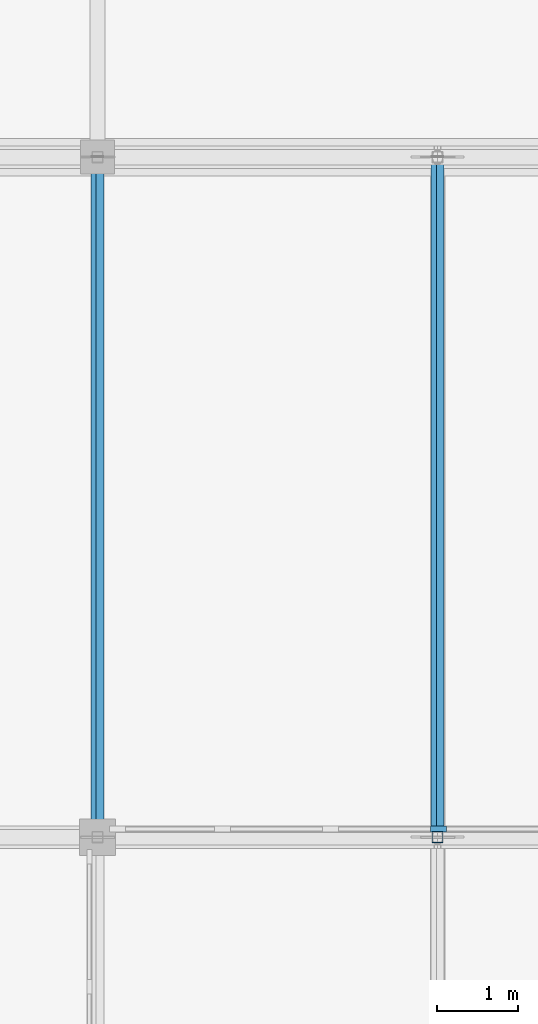
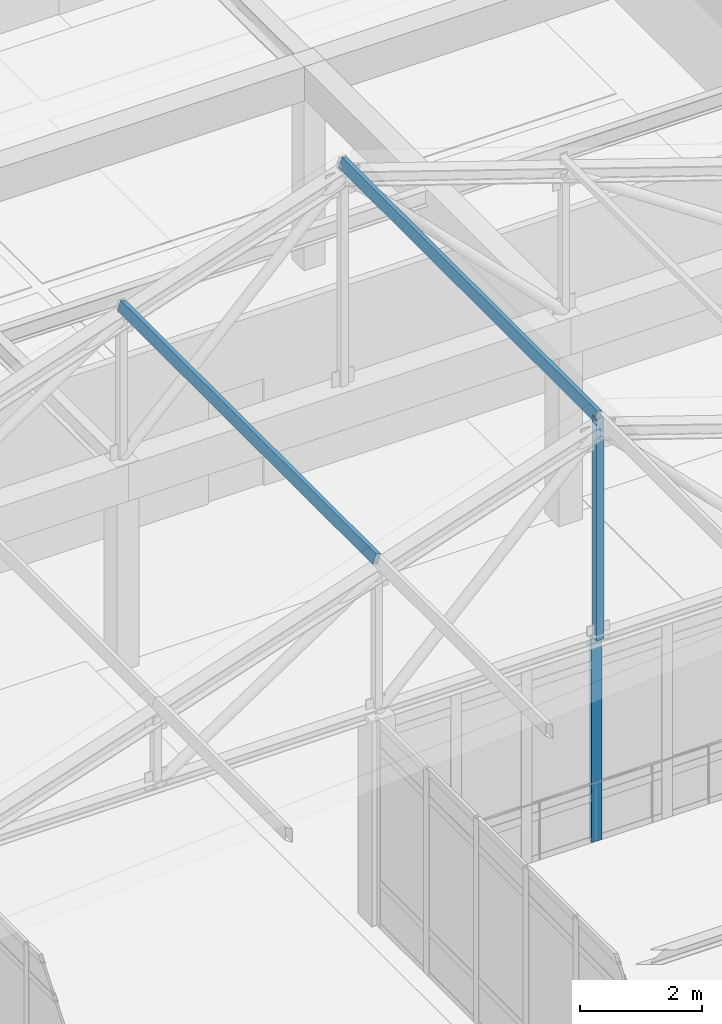
# One storey, part 80 of 192: 4 members, 1 element without a shape of its own.
"""IFC4 building model written with IfcOpenShell, lengths in metres."""

import ifcopenshell
import ifcopenshell.guid

model = None  # the IFC model being written
_history = None  # IfcOwnerHistory: only IFC2X3 demands one
_inside = {}  # id of a spatial element -> (the spatial element, [elements in it])
_under = {}  # id of a project, library or spatial element -> (it, [spatial elements below it])
_declared = {}  # id of a project -> (the project, [libraries it declares])
_typed = {}  # id of a type object -> (the type object, [elements of that type])
_made_of = {}  # id of a material, layer set ... -> (it, [elements and type objects made of it])


def new_model(schema):
    """Start an empty IFC model of exactly this schema.

    Asked for "IFC4X3", IfcOpenShell would pick the latest addendum, in which some entities
    have other attributes; the version numbers below select the first issue.
    IFC2X3 requires an IfcOwnerHistory on every rooted entity: one is made here for all.
    """
    global model, _history
    if schema == "IFC4X3":
        model = ifcopenshell.file(schema_version=(4, 3, 0, 0))
    else:
        model = ifcopenshell.file(schema=schema)
    _inside.clear()
    _under.clear()
    _declared.clear()
    _typed.clear()
    _made_of.clear()
    _history = None
    if model.schema == "IFC2X3":
        org = make("IfcOrganization", Name="unknown")
        user = make(
            "IfcPersonAndOrganization",
            ThePerson=make("IfcPerson", FamilyName="unknown"),
            TheOrganization=org,
        )
        app = make(
            "IfcApplication",
            ApplicationDeveloper=org,
            Version="unknown",
            ApplicationFullName="unknown",
            ApplicationIdentifier="unknown",
        )
        _history = make(
            "IfcOwnerHistory",
            OwningUser=user,
            OwningApplication=app,
            ChangeAction="ADDED",
            CreationDate=0,
        )
    return model


def make(cls, **values):
    """One entity of the class cls with the attributes given. An attribute that is None is left unset."""
    return model.create_entity(
        cls, **{name: value for name, value in values.items() if value is not None}
    )


def rooted(cls, **values):
    """An entity with a GlobalId (a new one), such as an element, a storey or a relation."""
    return make(cls, GlobalId=ifcopenshell.guid.new(), OwnerHistory=_history, **values)


def si_unit(unit_type, name, prefix=None):
    """IfcSIUnit, for example si_unit("LENGTHUNIT", "METRE", prefix="MILLI")."""
    return make("IfcSIUnit", UnitType=unit_type, Prefix=prefix, Name=name)


def assignment(units):
    """IfcUnitAssignment: the units of a project."""
    return None if units is None else make("IfcUnitAssignment", Units=units)


def point(xyz):
    """IfcCartesianPoint."""
    return None if xyz is None else make("IfcCartesianPoint", Coordinates=xyz)


def direction(xyz):
    """IfcDirection."""
    return None if xyz is None else make("IfcDirection", DirectionRatios=xyz)


def frame(location, z_axis=None, x_axis=None):
    """IfcAxis2Placement3D, a coordinate frame: its origin and axes. An axis left out is left unset."""
    return make(
        "IfcAxis2Placement3D",
        Location=point(location),
        Axis=direction(z_axis),
        RefDirection=direction(x_axis),
    )


def frame_2d(location, x_axis=None):
    """IfcAxis2Placement2D, a coordinate frame in the plane: its origin and x axis."""
    return make(
        "IfcAxis2Placement2D", Location=point(location), RefDirection=direction(x_axis)
    )


def origin():
    """The frame at (0, 0, 0) with its axes left unset."""
    return frame((0.0, 0.0, 0.0))


def origin_2d():
    """The frame at (0, 0) in the plane with its x axis left unset."""
    return frame_2d((0.0, 0.0))


def place(relative_to, where):
    """IfcLocalPlacement: puts the frame where relative to a parent placement (None: the world)."""
    return make(
        "IfcLocalPlacement", PlacementRelTo=relative_to, RelativePlacement=where
    )


def context(
    kind, dimensions, precision=None, world=None, true_north=None, identifier=None
):
    """IfcGeometricRepresentationContext, for example the 3D "Model" context."""
    return make(
        "IfcGeometricRepresentationContext",
        ContextIdentifier=identifier,
        ContextType=kind,
        CoordinateSpaceDimension=dimensions,
        Precision=precision,
        WorldCoordinateSystem=world,
        TrueNorth=true_north,
    )


def subcontext(parent, identifier, kind, view, scale=None):
    """IfcGeometricRepresentationSubContext, for example "Body" below "Model"."""
    return make(
        "IfcGeometricRepresentationSubContext",
        ContextIdentifier=identifier,
        ContextType=kind,
        ParentContext=parent,
        TargetScale=scale,
        TargetView=view,
    )


def project(units=None, contexts=None):
    """IfcProject with its units and contexts."""
    return rooted(
        "IfcProject",
        Name="project",
        RepresentationContexts=contexts,
        UnitsInContext=assignment(units),
    )


def spatial(cls, under=None, at=None, **own):
    """A site, building, storey or space (cls), placed at a placement, below another one or the project."""
    s = rooted(cls, ObjectPlacement=at, **own)
    if under is not None:
        _under.setdefault(under.id(), (under, []))[1].append(s)
    return s


def profile(cls, at=None, kind="AREA", **sizes):
    """A parametric profile (cls). Its sizes go by their IFC names, for example OverallWidth=200.0."""
    return make(cls, ProfileType=kind, Position=at, **sizes)


def rectangle(**sizes):
    """IfcRectangleProfileDef."""
    return profile("IfcRectangleProfileDef", **sizes)


def hollow_rectangle(**sizes):
    """IfcRectangleHollowProfileDef."""
    return profile("IfcRectangleHollowProfileDef", **sizes)


def extrude(swept, where, along, depth):
    """IfcExtrudedAreaSolid: the profile swept, set in the frame where, extruded along a direction by depth."""
    return make(
        "IfcExtrudedAreaSolid",
        SweptArea=swept,
        Position=where,
        ExtrudedDirection=direction(along),
        Depth=depth,
    )


def shape(context_of_items, identifier, shape_type, items):
    """IfcShapeRepresentation: the items that make up one representation, for example the "Body"."""
    return make(
        "IfcShapeRepresentation",
        ContextOfItems=context_of_items,
        RepresentationIdentifier=identifier,
        RepresentationType=shape_type,
        Items=items,
    )


def material(Name=None, Category=None):
    """IfcMaterial."""
    return make("IfcMaterial", Name=Name, Category=Category)


def layer(
    of_material, thickness, ventilated=None, Name=None, Category=None, Priority=None
):
    """IfcMaterialLayer: one layer of a wall or slab, of a material (None: an air gap)."""
    return make(
        "IfcMaterialLayer",
        Material=of_material,
        LayerThickness=thickness,
        IsVentilated=ventilated,
        Name=Name,
        Category=Category,
        Priority=Priority,
    )


def layer_set(layers, Name=None):
    """IfcMaterialLayerSet."""
    return make("IfcMaterialLayerSet", MaterialLayers=layers, LayerSetName=Name)


def material_profile(
    of_material, cross_section, Name=None, Category=None, Priority=None
):
    """IfcMaterialProfile: a cross section and its material."""
    return make(
        "IfcMaterialProfile",
        Name=Name,
        Material=of_material,
        Profile=cross_section,
        Priority=Priority,
        Category=Category,
    )


def profile_set(profiles, Name=None, composite=None):
    """IfcMaterialProfileSet."""
    return make(
        "IfcMaterialProfileSet",
        Name=Name,
        MaterialProfiles=profiles,
        CompositeProfile=composite,
    )


def made_of(thing, what):
    """Note that an element or type object is made of a material, layer set ...; save() writes the relation."""
    if what is not None:
        _made_of.setdefault(what.id(), (what, []))[1].append(thing)
    return thing


def type_object(cls, material=None, **own):
    """A type object (cls), such as IfcWallType, which elements share."""
    return made_of(rooted(cls, **own), material)


def element(
    cls,
    number,
    at=None,
    inside=None,
    cuts=None,
    type_object=None,
    material=None,
    context=None,
    identifier="Body",
    shape_type=None,
    held_by="IfcProductDefinitionShape",
    body=None,
    shapes=None,
    **own,
):
    """One element of the class cls, such as IfcWall. Its Tag is "e" and its number.

    at: its placement. inside: the storey or other place that contains it. cuts: it is an
    opening in that element (IfcRelVoidsElement). A single representation is given by context,
    identifier, shape_type and body (its items); several are given by shapes. held_by: the class
    of the entity that holds the representations. save() writes the other relations.
    """
    e = rooted(cls, Tag="e%d" % number, ObjectPlacement=at, **own)
    if body is not None:
        shapes = [shape(context, identifier, shape_type, body)]
    if shapes is not None:
        e.Representation = make(held_by, Representations=shapes)
    if inside is not None:
        _inside.setdefault(inside.id(), (inside, []))[1].append(e)
    if cuts is not None:
        rooted(
            "IfcRelVoidsElement", RelatingBuildingElement=cuts, RelatedOpeningElement=e
        )
    if type_object is not None:
        _typed.setdefault(type_object.id(), (type_object, []))[1].append(e)
    return made_of(e, material)


def aggregate(whole, parts):
    """IfcRelAggregates: a whole, such as a stair, and the parts it consists of."""
    return rooted("IfcRelAggregates", RelatingObject=whole, RelatedObjects=parts)


def save(model, path):
    """Write the relations noted so far, then the file.

    IfcRelAggregates (storeys below a building ...), IfcRelContainedInSpatialStructure (elements
    in a storey), IfcRelDefinesByType, IfcRelAssociatesMaterial and IfcRelDeclares: one each for
    every whole, place, type object, material and project.
    """
    for whole, parts in _under.values():
        aggregate(whole, parts)
    for where, things in _inside.values():
        rooted(
            "IfcRelContainedInSpatialStructure",
            RelatedElements=things,
            RelatingStructure=where,
        )
    for kind, things in _typed.values():
        rooted("IfcRelDefinesByType", RelatedObjects=things, RelatingType=kind)
    for what, things in _made_of.values():
        rooted("IfcRelAssociatesMaterial", RelatedObjects=things, RelatingMaterial=what)
    for by, libraries in _declared.values():
        rooted("IfcRelDeclares", RelatingContext=by, RelatedDefinitions=libraries)
    model.write(path)


model = new_model("IFC4")

# Units and contexts
model_context = context("Model", 3, precision=1e-05, world=origin(), true_north=direction((0.0, 1.0)))
body_context = subcontext(model_context, "Body", "Model", "MODEL_VIEW")
ifc_project = project(units=[si_unit("LENGTHUNIT", "METRE"), si_unit("AREAUNIT", "SQUARE_METRE"), si_unit("VOLUMEUNIT", "CUBIC_METRE"), si_unit("PLANEANGLEUNIT", "RADIAN"), si_unit("MASSUNIT", "GRAM", prefix="KILO")], contexts=[model_context])

# Site, building, storey
site_placement = place(None, origin())
site = spatial("IfcSite", under=ifc_project, at=site_placement, CompositionType="ELEMENT")
building_placement = place(site_placement, origin())
building = spatial("IfcBuilding", under=site, at=building_placement, Name="Kveldsbrygga Polytechnic", CompositionType="ELEMENT")
storey_placement = place(building_placement, frame((0.0, 0.0, 5.43994140625)))
storey = spatial("IfcBuildingStorey", under=building, at=storey_placement, Name="L01", CompositionType="ELEMENT", Elevation=5.43994140625)

# Curtain wall, member
ifc_material_1 = material(Name="Anodised aluminium AW-6060", Category="aluminium")
ifc_layer = layer(ifc_material_1, 0.159912109375)
ifc_layer_set = layer_set([ifc_layer], Name="Anodised aluminium AW-6060")
curtain_wall_type = type_object("IfcCurtainWallType", Name="CW-CLER-C", PredefinedType="USERDEFINED", material=ifc_layer_set)
curtain_wall_placement = place(storey_placement, origin())
curtain_wall = element("IfcCurtainWall", 1, at=curtain_wall_placement, inside=storey, type_object=curtain_wall_type, Name="Curtain Wall CW-L01-X-07-09", ObjectType="STICK CURTAIN WALL", PredefinedType="USERDEFINED")
ifc_material_profile_1 = material_profile(ifc_material_1, rectangle(XDim=0.074951171875, YDim=0.199951171875, at=origin_2d()), Name="ALU 75x200")
ifc_profile_set_1 = profile_set([ifc_material_profile_1], Name="Anodised aluminium AW-6060")
member_type_1 = type_object("IfcMemberType", Name="CW-MUL-200", PredefinedType="MULLION", material=ifc_profile_set_1)
member_1_placement = place(storey_placement, frame((63.012451171875, 75.699951171875, 0.0), z_axis=(0.0, 0.0, 1.0), x_axis=(0.0, 1.0, 0.0)))
member_1 = element("IfcMember", 2, at=member_1_placement, type_object=member_type_1, Name="CW-03 mullion 4", PredefinedType="MULLION", context=body_context, shape_type="SweptSolid", body=[
    extrude(rectangle(XDim=0.074951171875, YDim=0.199951171875, at=origin_2d()), origin(), (0.0, 0.0, 1.0), 4.1201171875),
])
aggregate(curtain_wall, [member_1])

# Members
ifc_material_2 = material(Name="Steel S355", Category="steel")
ifc_material_profile_2 = material_profile(ifc_material_2, hollow_rectangle(XDim=0.10009765625, YDim=0.199951171875, WallThickness=0.010009765625, at=origin_2d()), Name="RHS 200x100x10.0")
ifc_profile_set_2 = profile_set([ifc_material_profile_2], Name="Steel S355")
member_type_2 = type_object("IfcMemberType", Name="PRL-RHS200", PredefinedType="PURLIN", material=ifc_profile_set_2)
for number, where, z_axis, x_axis, name in (
    (3, (58.800048828125, 75.60009765625, 7.173095703125), (0.0, 1.0, 0.0), (-0.948683567514, 0.0, 0.316226957624), "Roof Purlin V5C-PRL-9-2"),
    (4, (63.0, 75.60009765625, 8.572998046875), (0.0, 1.0, 0.0), (-0.948683567514, 0.0, 0.316226957624), "Roof Purlin V5C-PRL-9-3"),
):
    element("IfcMember", number, at=place(storey_placement, frame(where, z_axis=z_axis, x_axis=x_axis)), inside=storey, type_object=member_type_2, Name=name, PredefinedType="PURLIN", context=body_context, shape_type="SweptSolid", body=[
        extrude(hollow_rectangle(XDim=0.10009765625, YDim=0.199951171875, WallThickness=0.010009765625, at=origin_2d()), origin(), (0.0, 0.0, 1.0), 8.39990234375),
    ])
ifc_material_profile_3 = material_profile(ifc_material_2, hollow_rectangle(XDim=0.139892578125, YDim=0.139892578125, WallThickness=0.008056640625, at=origin_2d()), Name="SHS 140x140x8.0")
ifc_profile_set_3 = profile_set([ifc_material_profile_3], Name="Steel S355")
member_type_3 = type_object("IfcMemberType", Name="TR-POST-SHS140", PredefinedType="STRUT", material=ifc_profile_set_3)
member_2_placement = place(storey_placement, frame((63.0, 75.60009765625, 4.1201171875), z_axis=(0.0, 0.0, 1.0), x_axis=(1.0, 0.0, 0.0)))
element("IfcMember", 5, at=member_2_placement, inside=storey, type_object=member_type_3, Name="Truss Vertical V5C-T09-VT-3", PredefinedType="STRUT", context=body_context, shape_type="SweptSolid", body=[
    extrude(hollow_rectangle(XDim=0.139892578125, YDim=0.139892578125, WallThickness=0.008056640625, at=origin_2d()), origin(), (0.0, 0.0, 1.0), 4.452880859375),
])

save(model, "model.ifc")
